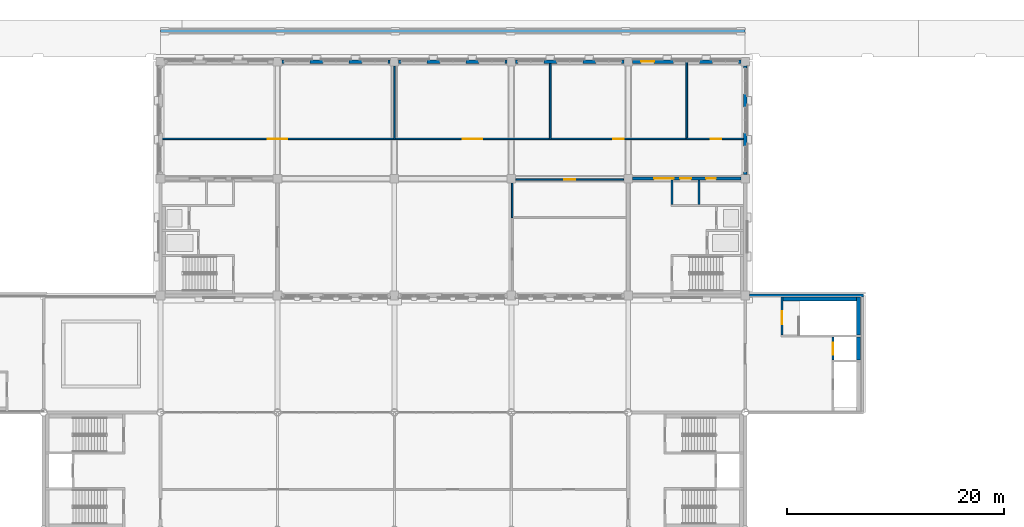
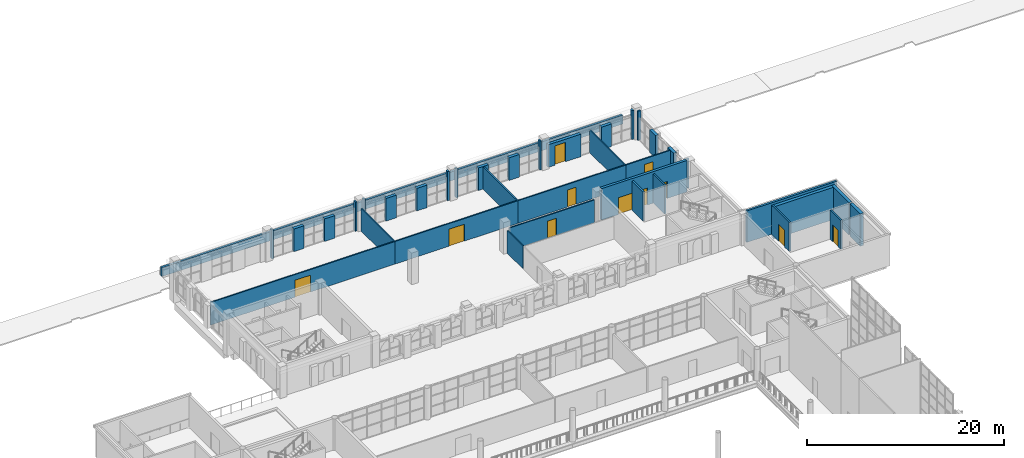
# One storey, part 72 of 95: 38 walls, 11 doors, 11 openings.
"""IFC4 building model written with IfcOpenShell, lengths in metres."""

from ifc_helpers import new_model, si_unit, direction, frame, frame_2d, origin, place, context, subcontext, project, spatial, rectangle, extrude, material, layer, layer_set, type_object, element, fill, save


model = new_model("IFC4")

# Units and contexts
model_context = context("Model", 3, precision=1e-05, world=origin(), true_north=direction((0.0, 1.0)))
body_context = subcontext(model_context, "Body", "Model", "MODEL_VIEW")
ifc_project = project(units=[si_unit("LENGTHUNIT", "METRE"), si_unit("AREAUNIT", "SQUARE_METRE"), si_unit("VOLUMEUNIT", "CUBIC_METRE"), si_unit("PLANEANGLEUNIT", "RADIAN"), si_unit("MASSUNIT", "GRAM", prefix="KILO")], contexts=[model_context])

# Site, building, storey
site_placement = place(None, origin())
site = spatial("IfcSite", under=ifc_project, at=site_placement, CompositionType="ELEMENT")
building_placement = place(site_placement, origin())
building = spatial("IfcBuilding", under=site, at=building_placement, Name="Magnolia Steps Interchange", CompositionType="ELEMENT")
storey_placement = place(building_placement, frame((0.0, 0.0, 4.800048828125)))
storey = spatial("IfcBuildingStorey", under=building, at=storey_placement, Name="L01", CompositionType="ELEMENT", Elevation=4.800048828125)

# Wall, opening, door
ifc_material_1 = material(Name="Concrete C35", Category="concrete")
ifc_layer_1 = layer(ifc_material_1, 0.199951171875)
ifc_layer_set_1 = layer_set([ifc_layer_1], Name="Core enclosure wall 200")
wall_type_1 = type_object("IfcWallType", Name="Core enclosure wall 200", PredefinedType="SOLIDWALL", material=ifc_layer_set_1)
wall_1_placement = place(storey_placement, frame((121.39990234375, 96.27490234375, 0.0), z_axis=(0.0, 0.0, 1.0), x_axis=(0.0, -1.0, 0.0)))
wall_1 = element("IfcWall", 1, at=wall_1_placement, inside=storey, type_object=wall_type_1, Name="L01 WC-E enclosure wall", PredefinedType="SOLIDWALL", context=body_context, shape_type="SweptSolid", body=[
    extrude(rectangle(XDim=3.52490234375, YDim=0.199951171875, at=frame_2d((1.762451171875, 0.0))), origin(), (0.0, 0.0, 1.0), 3.599853515625),
])
opening_1_placement = place(wall_1_placement, frame((1.35009765625, 0.0, 0.0)))
opening_1 = element("IfcOpeningElement", 2, at=opening_1_placement, cuts=wall_1, Name="Opening D-WC-E-L01-1", PredefinedType="OPENING", context=body_context, shape_type="SweptSolid", body=[
    extrude(rectangle(XDim=1.199951171875, YDim=2.10009765625, at=frame_2d((0.60009765625, 1.050048828125))), frame((0.0, 0.10986328125, 0.0), z_axis=(0.0, -1.0, 0.0), x_axis=(1.0, 0.0, 0.0)), (0.0, 0.0, 1.0), 0.219970703125),
])
ifc_material_2 = material(Name="Painted steel", Category="steel")
door_type_1 = type_object("IfcDoorType", Name="Stair fire door 1200x2100", OperationType="NOTDEFINED", PredefinedType="DOOR", material=ifc_material_2)
door_1_placement = place(opening_1_placement, frame((1.199951171875, 0.0, 0.0), z_axis=(0.0, 0.0, 1.0), x_axis=(-1.0, 0.0, 0.0)))
door_1 = element("IfcDoor", 3, at=door_1_placement, inside=storey, type_object=door_type_1, Name="Stair door ST27 L01", OperationType="SINGLE_SWING_LEFT", OverallHeight=2.10009765625, OverallWidth=1.199951171875, PredefinedType="DOOR", context=body_context, shape_type="SweptSolid", body=[
    extrude(rectangle(XDim=1.199951171875, YDim=2.10009765625, at=frame_2d((0.60009765625, 1.050048828125))), frame((0.0, 0.02490234375, 0.0), z_axis=(0.0, -1.0, 0.0), x_axis=(1.0, 0.0, 0.0)), (0.0, 0.0, 1.0), 0.050048828125),
])
fill(opening_1, door_1)

wall_2_placement = place(storey_placement, frame((126.10009765625, 92.550048828125, 0.0), z_axis=(0.0, 0.0, 1.0), x_axis=(0.0, -1.0, 0.0)))
wall_2 = element("IfcWall", 4, at=wall_2_placement, inside=storey, type_object=wall_type_1, Name="L01 WC-E enclosure wall", PredefinedType="SOLIDWALL", context=body_context, shape_type="SweptSolid", body=[
    extrude(rectangle(XDim=2.10009765625, YDim=0.199951171875, at=frame_2d((1.050048828125, 0.0))), origin(), (0.0, 0.0, 1.0), 3.599853515625),
])
opening_2_placement = place(wall_2_placement, frame((0.5, 0.0, 0.0)))
opening_2 = element("IfcOpeningElement", 5, at=opening_2_placement, cuts=wall_2, Name="Opening LD", PredefinedType="OPENING", context=body_context, shape_type="SweptSolid", body=[
    extrude(rectangle(XDim=1.10009765625, YDim=2.10009765625, at=frame_2d((0.550048828125, 1.050048828125))), frame((0.0, 0.10986328125, 0.0), z_axis=(0.0, -1.0, 0.0), x_axis=(1.0, 0.0, 0.0)), (0.0, 0.0, 1.0), 0.219970703125),
])
ifc_material_3 = material(Name="Stainless steel grade 304", Category="steel")
door_type_2 = type_object("IfcDoorType", Name="Lift landing door 1100x2100", OperationType="DOUBLE_DOOR_SLIDING", PredefinedType="DOOR", material=ifc_material_3)
door_2_placement = place(opening_2_placement, frame((1.10009765625, 0.0, 0.0), z_axis=(0.0, 0.0, 1.0), x_axis=(-1.0, 0.0, 0.0)))
door_2 = element("IfcDoor", 6, at=door_2_placement, inside=storey, type_object=door_type_2, Name="Lift landing door LF14 L01", OperationType="DOUBLE_DOOR_SLIDING", OverallHeight=2.10009765625, OverallWidth=1.10009765625, PredefinedType="DOOR", context=body_context, shape_type="SweptSolid", body=[
    extrude(rectangle(XDim=1.10009765625, YDim=2.10009765625, at=frame_2d((0.550048828125, 1.050048828125))), frame((0.0, 0.02490234375, 0.0), z_axis=(0.0, -1.0, 0.0), x_axis=(1.0, 0.0, 0.0)), (0.0, 0.0, 1.0), 0.050048828125),
])
fill(opening_2, door_2)

# Walls
wall_3_placement = place(storey_placement, frame((111.25, 107.050048828125, 0.0), z_axis=(0.0, 0.0, 1.0), x_axis=(0.0, -1.0, 0.0)))
element("IfcWall", 7, at=wall_3_placement, inside=storey, type_object=wall_type_1, Name="L01 OC-E enclosure wall", PredefinedType="SOLIDWALL", context=body_context, shape_type="SweptSolid", body=[
    extrude(rectangle(XDim=2.25, YDim=0.199951171875, at=frame_2d((1.125, 0.0))), origin(), (0.0, 0.0, 1.0), 3.599853515625),
])
ifc_material_4 = material(Name="Concrete C35", Category="concrete")
ifc_layer_2 = layer(ifc_material_4, 0.375)
ifc_layer_set_2 = layer_set([ifc_layer_2], Name="Core lining wall 375")
wall_type_2 = type_object("IfcWallType", Name="Core lining wall 375", PredefinedType="SOLIDWALL", material=ifc_layer_set_2)
wall_4_placement = place(storey_placement, frame((121.300048828125, 96.08740234375, -0.400146484375), z_axis=(0.0, 0.0, 1.0), x_axis=(1.0, 0.0, 0.0)))
element("IfcWall", 8, at=wall_4_placement, inside=storey, type_object=wall_type_2, Name="L01 WC-E stair lining wall", PredefinedType="SOLIDWALL", context=body_context, shape_type="SweptSolid", body=[
    extrude(rectangle(XDim=7.375, YDim=0.375, at=frame_2d((3.6875, 0.0))), origin(), (0.0, 0.0, 1.0), 4.0),
])
wall_5_placement = place(storey_placement, frame((128.487548828125, 96.27490234375, -0.400146484375), z_axis=(0.0, 0.0, 1.0), x_axis=(0.0, -1.0, 0.0)))
element("IfcWall", 9, at=wall_5_placement, inside=storey, type_object=wall_type_2, Name="L01 WC-E stair lining wall", PredefinedType="SOLIDWALL", context=body_context, shape_type="SweptSolid", body=[
    extrude(rectangle(XDim=3.52490234375, YDim=0.375, at=frame_2d((1.762451171875, 0.0))), origin(), (0.0, 0.0, 1.0), 4.0),
])
wall_6_placement = place(storey_placement, frame((128.487548828125, 92.550048828125, -0.400146484375), z_axis=(0.0, 0.0, 1.0), x_axis=(0.0, -1.0, 0.0)))
element("IfcWall", 10, at=wall_6_placement, inside=storey, type_object=wall_type_2, Name="L01 WC-E stair lining wall", PredefinedType="SOLIDWALL", context=body_context, shape_type="SweptSolid", body=[
    extrude(rectangle(XDim=2.10009765625, YDim=0.375, at=frame_2d((1.050048828125, 0.0))), origin(), (0.0, 0.0, 1.0), 4.0),
])
ifc_material_5 = material(Name="Fair-faced blockwork", Category="masonry")
ifc_layer_3 = layer(ifc_material_5, 0.199951171875)
ifc_layer_set_3 = layer_set([ifc_layer_3], Name="Core partition 200")
wall_type_3 = type_object("IfcWallType", Name="Core partition 200", PredefinedType="PARTITIONING", material=ifc_layer_set_3)
wall_7_placement = place(storey_placement, frame((113.75, 107.050048828125, 0.0), z_axis=(0.0, 0.0, 1.0), x_axis=(0.0, -1.0, 0.0)))
element("IfcWall", 11, at=wall_7_placement, inside=storey, type_object=wall_type_3, Name="L01 OC-E toilet partition", PredefinedType="PARTITIONING", context=body_context, shape_type="SweptSolid", body=[
    extrude(rectangle(XDim=2.25, YDim=0.199951171875, at=frame_2d((1.125, 0.0))), origin(), (0.0, 0.0, 1.0), 3.599853515625),
])
ifc_material_6 = material(Name="Concrete C40", Category="concrete")
ifc_layer_4 = layer(ifc_material_6, 0.25)
ifc_layer_set_4 = layer_set([ifc_layer_4], Name="Core wall 250")
wall_type_4 = type_object("IfcWallType", Name="Core wall 250", PredefinedType="SOLIDWALL", material=ifc_layer_set_4)
wall_8_placement = place(storey_placement, frame((128.925048828125, 96.39990234375, 0.0), z_axis=(0.0, 0.0, 1.0), x_axis=(-1.0, 0.0, 0.0)))
element("IfcWall", 12, at=wall_8_placement, inside=storey, type_object=wall_type_4, Name="Core wall WC-E", PredefinedType="SOLIDWALL", context=body_context, shape_type="SweptSolid", body=[
    extrude(rectangle(XDim=10.525146484375, YDim=0.25, at=frame_2d((5.2626953125, 0.0))), origin(), (0.0, 0.0, 1.0), 3.89990234375),
])

# Wall, openings, doors
ifc_material_7 = material(Name="Concrete C40", Category="concrete")
ifc_layer_5 = layer(ifc_material_7, 0.300048828125)
ifc_layer_set_5 = layer_set([ifc_layer_5], Name="Core wall 300")
wall_type_5 = type_object("IfcWallType", Name="Core wall 300", PredefinedType="SOLIDWALL", material=ifc_layer_set_5)
wall_9_placement = place(storey_placement, frame((117.60009765625, 107.199951171875, 0.0), z_axis=(0.0, 0.0, 1.0), x_axis=(-1.0, 0.0, 0.0)))
wall_9 = element("IfcWall", 13, at=wall_9_placement, inside=storey, type_object=wall_type_5, Name="Core wall OC-E", PredefinedType="SOLIDWALL", context=body_context, shape_type="SweptSolid", body=[
    extrude(rectangle(XDim=10.0, YDim=0.300048828125, at=frame_2d((5.0, 0.0))), origin(), (0.0, 0.0, 1.0), 3.89990234375),
])
opening_3_placement = place(wall_9_placement, frame((6.199951171875, 0.0, 0.0)))
opening_3 = element("IfcOpeningElement", 14, at=opening_3_placement, cuts=wall_9, Name="Opening D-OC-E-L01-2", PredefinedType="OPENING", context=body_context, shape_type="SweptSolid", body=[
    extrude(rectangle(XDim=1.800048828125, YDim=2.10009765625, at=frame_2d((0.89990234375, 1.050048828125))), frame((0.0, 0.159912109375, 0.0), z_axis=(0.0, -1.0, 0.0), x_axis=(1.0, 0.0, 0.0)), (0.0, 0.0, 1.0), 0.320068359375),
])
opening_4_placement = place(wall_9_placement, frame((4.60009765625, 0.0, 0.0)))
opening_4 = element("IfcOpeningElement", 15, at=opening_4_placement, cuts=wall_9, Name="Opening D-OC-E-L01-3", PredefinedType="OPENING", context=body_context, shape_type="SweptSolid", body=[
    extrude(rectangle(XDim=1.0, YDim=2.10009765625, at=frame_2d((0.5, 1.050048828125))), frame((0.0, 0.159912109375, 0.0), z_axis=(0.0, -1.0, 0.0), x_axis=(1.0, 0.0, 0.0)), (0.0, 0.0, 1.0), 0.320068359375),
])
opening_5_placement = place(wall_9_placement, frame((2.300048828125, 0.0, 0.0)))
opening_5 = element("IfcOpeningElement", 16, at=opening_5_placement, cuts=wall_9, Name="Opening D-OC-E-L01-4", PredefinedType="OPENING", context=body_context, shape_type="SweptSolid", body=[
    extrude(rectangle(XDim=0.89990234375, YDim=2.10009765625, at=frame_2d((0.449951171875, 1.050048828125))), frame((0.0, 0.159912109375, 0.0), z_axis=(0.0, -1.0, 0.0), x_axis=(1.0, 0.0, 0.0)), (0.0, 0.0, 1.0), 0.320068359375),
])
ifc_material_8 = material(Name="Timber", Category="wood")
door_type_3 = type_object("IfcDoorType", Name="Accessible toilet door 1000x2100", OperationType="NOTDEFINED", PredefinedType="DOOR", material=ifc_material_8)
door_3_placement = place(opening_4_placement, origin())
door_3 = element("IfcDoor", 17, at=door_3_placement, inside=storey, type_object=door_type_3, Name="Accessible Toilet door OC-E L01", OperationType="SINGLE_SWING_RIGHT", OverallHeight=2.10009765625, OverallWidth=1.0, PredefinedType="DOOR", context=body_context, shape_type="SweptSolid", body=[
    extrude(rectangle(XDim=1.0, YDim=2.10009765625, at=frame_2d((0.5, 1.050048828125))), frame((0.0, 0.02490234375, 0.0), z_axis=(0.0, -1.0, 0.0), x_axis=(1.0, 0.0, 0.0)), (0.0, 0.0, 1.0), 0.050048828125),
])
fill(opening_4, door_3)
ifc_material_9 = material(Name="Timber and glass", Category="wood")
door_type_4 = type_object("IfcDoorType", Name="Core entrance door pair 1800x2100", OperationType="DOUBLE_DOOR_DOUBLE_SWING", PredefinedType="DOOR", material=ifc_material_9)
door_4_placement = place(opening_3_placement, frame((1.800048828125, 0.0, 0.0), z_axis=(0.0, 0.0, 1.0), x_axis=(-1.0, 0.0, 0.0)))
door_4 = element("IfcDoor", 18, at=door_4_placement, inside=storey, type_object=door_type_4, Name="Core entrance door OC-E L01", OperationType="DOUBLE_DOOR_DOUBLE_SWING", OverallHeight=2.10009765625, OverallWidth=1.800048828125, PredefinedType="DOOR", context=body_context, shape_type="SweptSolid", body=[
    extrude(rectangle(XDim=1.800048828125, YDim=2.10009765625, at=frame_2d((0.89990234375, 1.050048828125))), frame((0.0, 0.02490234375, 0.0), z_axis=(0.0, -1.0, 0.0), x_axis=(1.0, 0.0, 0.0)), (0.0, 0.0, 1.0), 0.050048828125),
])
fill(opening_3, door_4)
ifc_material_10 = material(Name="Timber", Category="wood")
door_type_5 = type_object("IfcDoorType", Name="Toilet door 900x2100", OperationType="NOTDEFINED", PredefinedType="DOOR", material=ifc_material_10)
door_5_placement = place(opening_5_placement, origin())
door_5 = element("IfcDoor", 19, at=door_5_placement, inside=storey, type_object=door_type_5, Name="Public Toilets door OC-E L01", OperationType="SINGLE_SWING_LEFT", OverallHeight=2.10009765625, OverallWidth=0.89990234375, PredefinedType="DOOR", context=body_context, shape_type="SweptSolid", body=[
    extrude(rectangle(XDim=0.89990234375, YDim=2.10009765625, at=frame_2d((0.449951171875, 1.050048828125))), frame((0.0, 0.02490234375, 0.0), z_axis=(0.0, -1.0, 0.0), x_axis=(1.0, 0.0, 0.0)), (0.0, 0.0, 1.0), 0.050048828125),
])
fill(opening_5, door_5)

# Walls
ifc_material_11 = material(Name="Lime render on masonry", Category="masonry")
ifc_layer_6 = layer(ifc_material_11, 0.35009765625)
ifc_layer_set_6 = layer_set([ifc_layer_6], Name="Lime render wall 350")
wall_type_6 = type_object("IfcWallType", Name="Lime render wall 350", PredefinedType="SOLIDWALL", material=ifc_layer_set_6)
wall_10_placement = place(storey_placement, frame((75.199951171875, 118.0, 0.0), z_axis=(0.0, 0.0, 1.0), x_axis=(1.0, 0.0, 0.0)))
element("IfcWall", 20, at=wall_10_placement, inside=storey, type_object=wall_type_6, Name="Operations lobby north pier 5", PredefinedType="SOLIDWALL", context=body_context, shape_type="SweptSolid", body=[
    extrude(rectangle(XDim=0.199951171875, YDim=0.35009765625, at=frame_2d((0.10009765625, 0.0))), origin(), (0.0, 0.0, 1.0), 3.599853515625),
])
wall_11_placement = place(storey_placement, frame((77.800048828125, 118.0, 0.0), z_axis=(0.0, 0.0, 1.0), x_axis=(1.0, 0.0, 0.0)))
element("IfcWall", 21, at=wall_11_placement, inside=storey, type_object=wall_type_6, Name="Operations lobby north pier 7", PredefinedType="SOLIDWALL", context=body_context, shape_type="SweptSolid", body=[
    extrude(rectangle(XDim=1.199951171875, YDim=0.35009765625, at=frame_2d((0.60009765625, 0.0))), origin(), (0.0, 0.0, 1.0), 2.800048828125),
])
wall_12_placement = place(storey_placement, frame((81.39990234375, 118.0, 0.0), z_axis=(0.0, 0.0, 1.0), x_axis=(1.0, 0.0, 0.0)))
element("IfcWall", 22, at=wall_12_placement, inside=storey, type_object=wall_type_6, Name="Operations lobby north pier 9", PredefinedType="SOLIDWALL", context=body_context, shape_type="SweptSolid", body=[
    extrude(rectangle(XDim=1.2001953125, YDim=0.35009765625, at=frame_2d((0.60009765625, 0.0))), origin(), (0.0, 0.0, 1.0), 2.800048828125),
])
for number, where, z_axis, x_axis, name in (
    (23, (85.0, 118.0, 0.0), (0.0, 0.0, 1.0), (1.0, 0.0, 0.0), "Operations lobby north pier 11"),
    (24, (86.0, 118.0, 0.0), (0.0, 0.0, 1.0), (1.0, 0.0, 0.0), "Operations lobby north pier 11"),
):
    element("IfcWall", number, at=place(storey_placement, frame(where, z_axis=z_axis, x_axis=x_axis)), inside=storey, type_object=wall_type_6, Name=name, PredefinedType="SOLIDWALL", context=body_context, shape_type="SweptSolid", body=[
        extrude(rectangle(XDim=0.199951171875, YDim=0.35009765625, at=frame_2d((0.10009765625, 0.0))), origin(), (0.0, 0.0, 1.0), 3.599853515625),
    ])
for number, where, z_axis, x_axis, name in (
    (25, (88.60009765625, 118.0, 0.0), (0.0, 0.0, 1.0), (1.0, 0.0, 0.0), "Operations lobby north pier 13"),
    (26, (92.199951171875, 118.0, 0.0), (0.0, 0.0, 1.0), (1.0, 0.0, 0.0), "Operations lobby north pier 15"),
):
    element("IfcWall", number, at=place(storey_placement, frame(where, z_axis=z_axis, x_axis=x_axis)), inside=storey, type_object=wall_type_6, Name=name, PredefinedType="SOLIDWALL", context=body_context, shape_type="SweptSolid", body=[
        extrude(rectangle(XDim=1.199951171875, YDim=0.35009765625, at=frame_2d((0.60009765625, 0.0))), origin(), (0.0, 0.0, 1.0), 2.800048828125),
    ])
for number, where, z_axis, x_axis, name in (
    (27, (95.800048828125, 118.0, 0.0), (0.0, 0.0, 1.0), (1.0, 0.0, 0.0), "Operations lobby north pier 17"),
    (28, (96.800048828125, 118.0, 0.0), (0.0, 0.0, 1.0), (1.0, 0.0, 0.0), "Operations lobby north pier 17"),
):
    element("IfcWall", number, at=place(storey_placement, frame(where, z_axis=z_axis, x_axis=x_axis)), inside=storey, type_object=wall_type_6, Name=name, PredefinedType="SOLIDWALL", context=body_context, shape_type="SweptSolid", body=[
        extrude(rectangle(XDim=0.199951171875, YDim=0.35009765625, at=frame_2d((0.10009765625, 0.0))), origin(), (0.0, 0.0, 1.0), 3.599853515625),
    ])
wall_13_placement = place(storey_placement, frame((99.39990234375, 118.0, 0.0), z_axis=(0.0, 0.0, 1.0), x_axis=(1.0, 0.0, 0.0)))
element("IfcWall", 29, at=wall_13_placement, inside=storey, type_object=wall_type_6, Name="Operations lobby north pier 19", PredefinedType="SOLIDWALL", context=body_context, shape_type="SweptSolid", body=[
    extrude(rectangle(XDim=1.2001953125, YDim=0.35009765625, at=frame_2d((0.60009765625, 0.0))), origin(), (0.0, 0.0, 1.0), 2.800048828125),
])
wall_14_placement = place(storey_placement, frame((103.0, 118.0, 0.0), z_axis=(0.0, 0.0, 1.0), x_axis=(1.0, 0.0, 0.0)))
element("IfcWall", 30, at=wall_14_placement, inside=storey, type_object=wall_type_6, Name="Operations lobby north pier 21", PredefinedType="SOLIDWALL", context=body_context, shape_type="SweptSolid", body=[
    extrude(rectangle(XDim=1.199951171875, YDim=0.35009765625, at=frame_2d((0.60009765625, 0.0))), origin(), (0.0, 0.0, 1.0), 2.800048828125),
])
wall_15_placement = place(storey_placement, frame((106.60009765625, 118.0, 0.0), z_axis=(0.0, 0.0, 1.0), x_axis=(1.0, 0.0, 0.0)))
element("IfcWall", 31, at=wall_15_placement, inside=storey, type_object=wall_type_6, Name="Operations lobby north pier 23", PredefinedType="SOLIDWALL", context=body_context, shape_type="SweptSolid", body=[
    extrude(rectangle(XDim=0.199951171875, YDim=0.35009765625, at=frame_2d((0.10009765625, 0.0))), origin(), (0.0, 0.0, 1.0), 3.599853515625),
])

# Wall, opening, door
wall_16_placement = place(storey_placement, frame((107.60009765625, 118.0, 0.0), z_axis=(0.0, 0.0, 1.0), x_axis=(1.0, 0.0, 0.0)))
wall_16 = element("IfcWall", 32, at=wall_16_placement, inside=storey, type_object=wall_type_6, Name="Operations lobby north pier 23", PredefinedType="SOLIDWALL", context=body_context, shape_type="SweptSolid", body=[
    extrude(rectangle(XDim=3.7998046875, YDim=0.35009765625, at=frame_2d((1.89990234375, 0.0))), origin(), (0.0, 0.0, 1.0), 2.800048828125),
])
opening_6_placement = place(wall_16_placement, frame((0.800048828125, 0.0, 0.0)))
opening_6 = element("IfcOpeningElement", 33, at=opening_6_placement, cuts=wall_16, Name="Opening E03", PredefinedType="OPENING", context=body_context, shape_type="SweptSolid", body=[
    extrude(rectangle(XDim=1.199951171875, YDim=2.39990234375, at=frame_2d((0.60009765625, 1.199951171875))), frame((0.0, 0.18505859375, 0.0), z_axis=(0.0, -1.0, 0.0), x_axis=(1.0, 0.0, 0.0)), (0.0, 0.0, 1.0), 0.3701171875),
])
ifc_material_12 = material(Name="Timber", Category="wood")
door_type_6 = type_object("IfcDoorType", Name="Timber service door 1200 x 2400", OperationType="NOTDEFINED", PredefinedType="DOOR", material=ifc_material_12)
door_6_placement = place(opening_6_placement, origin())
door_6 = element("IfcDoor", 34, at=door_6_placement, inside=storey, type_object=door_type_6, Name="Service door", OperationType="SINGLE_SWING_LEFT", OverallHeight=2.39990234375, OverallWidth=1.199951171875, PredefinedType="DOOR", context=body_context, shape_type="SweptSolid", body=[
    extrude(rectangle(XDim=1.199951171875, YDim=2.39990234375, at=frame_2d((0.60009765625, 1.199951171875))), frame((0.0, 0.02490234375, 0.0), z_axis=(0.0, -1.0, 0.0), x_axis=(1.0, 0.0, 0.0)), (0.0, 0.0, 1.0), 0.050048828125),
])
fill(opening_6, door_6)

# Walls
wall_17_placement = place(storey_placement, frame((113.800048828125, 118.0, 0.0), z_axis=(0.0, 0.0, 1.0), x_axis=(1.0, 0.0, 0.0)))
element("IfcWall", 35, at=wall_17_placement, inside=storey, type_object=wall_type_6, Name="Operations lobby north pier 25", PredefinedType="SOLIDWALL", context=body_context, shape_type="SweptSolid", body=[
    extrude(rectangle(XDim=1.199951171875, YDim=0.35009765625, at=frame_2d((0.60009765625, 0.0))), origin(), (0.0, 0.0, 1.0), 2.800048828125),
])
wall_18_placement = place(storey_placement, frame((117.39990234375, 118.0, 0.0), z_axis=(0.0, 0.0, 1.0), x_axis=(1.0, 0.0, 0.0)))
element("IfcWall", 36, at=wall_18_placement, inside=storey, type_object=wall_type_6, Name="Operations lobby north pier 27", PredefinedType="SOLIDWALL", context=body_context, shape_type="SweptSolid", body=[
    extrude(rectangle(XDim=0.2001953125, YDim=0.35009765625, at=frame_2d((0.10009765625, 0.0))), origin(), (0.0, 0.0, 1.0), 3.599853515625),
])
wall_19_placement = place(storey_placement, frame((118.0, 107.60009765625, 0.0), z_axis=(0.0, 0.0, 1.0), x_axis=(0.0, 1.0, 0.0)))
element("IfcWall", 37, at=wall_19_placement, inside=storey, type_object=wall_type_6, Name="Operations lobby east pier 1", PredefinedType="SOLIDWALL", context=body_context, shape_type="SweptSolid", body=[
    extrude(rectangle(XDim=0.199951171875, YDim=0.35009765625, at=frame_2d((0.10009765625, 0.0))), origin(), (0.0, 0.0, 1.0), 3.599853515625),
])
for number, where, z_axis, x_axis, name in (
    (38, (118.0, 110.199951171875, 0.0), (0.0, 0.0, 1.0), (0.0, 1.0, 0.0), "Operations lobby east pier 3"),
    (39, (118.0, 113.800048828125, 0.0), (0.0, 0.0, 1.0), (0.0, 1.0, 0.0), "Operations lobby east pier 5"),
):
    element("IfcWall", number, at=place(storey_placement, frame(where, z_axis=z_axis, x_axis=x_axis)), inside=storey, type_object=wall_type_6, Name=name, PredefinedType="SOLIDWALL", context=body_context, shape_type="SweptSolid", body=[
        extrude(rectangle(XDim=1.199951171875, YDim=0.35009765625, at=frame_2d((0.60009765625, 0.0))), origin(), (0.0, 0.0, 1.0), 2.800048828125),
    ])
wall_20_placement = place(storey_placement, frame((118.0, 117.39990234375, 0.0), z_axis=(0.0, 0.0, 1.0), x_axis=(0.0, 1.0, 0.0)))
element("IfcWall", 40, at=wall_20_placement, inside=storey, type_object=wall_type_6, Name="Operations lobby east pier 7", PredefinedType="SOLIDWALL", context=body_context, shape_type="SweptSolid", body=[
    extrude(rectangle(XDim=0.2001953125, YDim=0.35009765625, at=frame_2d((0.10009765625, 0.0))), origin(), (0.0, 0.0, 1.0), 3.599853515625),
])
ifc_material_13 = material(Name="Lime render on masonry", Category="masonry")
ifc_layer_7 = layer(ifc_material_13, 0.25)
ifc_layer_set_7 = layer_set([ifc_layer_7], Name="Parapet wall 250")
wall_type_7 = type_object("IfcWallType", Name="Parapet wall 250", PredefinedType="PARAPET", material=ifc_layer_set_7)
wall_21_placement = place(storey_placement, frame((64.0, 120.824951171875, 0.0), z_axis=(0.0, 0.0, 1.0), x_axis=(1.0, 0.0, 0.0)))
element("IfcWall", 41, at=wall_21_placement, inside=storey, type_object=wall_type_7, Name="North street boundary wall", PredefinedType="PARAPET", context=body_context, shape_type="SweptSolid", body=[
    extrude(rectangle(XDim=54.0, YDim=0.25, at=frame_2d((27.0, 0.0))), origin(), (0.0, 0.0, 1.0), 1.099853515625),
])
ifc_material_14 = material(Name="Fair-faced blockwork", Category="masonry")
ifc_layer_8 = layer(ifc_material_14, 0.14990234375)
ifc_layer_set_8 = layer_set([ifc_layer_8], Name="Partition wall 150")
wall_type_8 = type_object("IfcWallType", Name="Partition wall 150", PredefinedType="PARTITIONING", material=ifc_layer_set_8)
wall_22_placement = place(storey_placement, frame((96.47509765625, 103.60009765625, 0.0), z_axis=(0.0, 0.0, 1.0), x_axis=(0.0, 1.0, 0.0)))
element("IfcWall", 42, at=wall_22_placement, inside=storey, type_object=wall_type_8, Name="L01 partition 15", PredefinedType="PARTITIONING", context=body_context, shape_type="SweptSolid", body=[
    extrude(rectangle(XDim=3.179931640625, YDim=0.14990234375, at=frame_2d((1.58984375, 0.0))), origin(), (0.0, 0.0, 1.0), 2.800048828125),
])

# Wall, opening, door
wall_23_placement = place(storey_placement, frame((96.820068359375, 107.125, 0.0), z_axis=(0.0, 0.0, 1.0), x_axis=(1.0, 0.0, 0.0)))
wall_23 = element("IfcWall", 43, at=wall_23_placement, inside=storey, type_object=wall_type_8, Name="L01 partition 17", PredefinedType="PARTITIONING", context=body_context, shape_type="SweptSolid", body=[
    extrude(rectangle(XDim=9.9599609375, YDim=0.14990234375, at=frame_2d((4.97998046875, 0.0))), origin(), (0.0, 0.0, 1.0), 2.800048828125),
])
opening_7_placement = place(wall_23_placement, frame((4.47998046875, 0.0, 0.0)))
opening_7 = element("IfcOpeningElement", 44, at=opening_7_placement, cuts=wall_23, Name="Opening D-L01-10", PredefinedType="OPENING", context=body_context, shape_type="SweptSolid", body=[
    extrude(rectangle(XDim=1.0, YDim=2.10009765625, at=frame_2d((0.5, 1.050048828125))), frame((0.0, 0.0849609375, 0.0), z_axis=(0.0, -1.0, 0.0), x_axis=(1.0, 0.0, 0.0)), (0.0, 0.0, 1.0), 0.169921875),
])
ifc_material_15 = material(Name="Timber", Category="wood")
door_type_7 = type_object("IfcDoorType", Name="Room door 1000x2100", OperationType="NOTDEFINED", PredefinedType="DOOR", material=ifc_material_15)
door_7_placement = place(opening_7_placement, frame((1.0, 0.0, 0.0), z_axis=(0.0, 0.0, 1.0), x_axis=(-1.0, 0.0, 0.0)))
door_7 = element("IfcDoor", 45, at=door_7_placement, inside=storey, type_object=door_type_7, Name="Security Desk door", OperationType="SINGLE_SWING_LEFT", OverallHeight=2.10009765625, OverallWidth=1.0, PredefinedType="DOOR", context=body_context, shape_type="SweptSolid", body=[
    extrude(rectangle(XDim=1.0, YDim=2.10009765625, at=frame_2d((0.5, 1.050048828125))), frame((0.0, 0.02490234375, 0.0), z_axis=(0.0, -1.0, 0.0), x_axis=(1.0, 0.0, 0.0)), (0.0, 0.0, 1.0), 0.050048828125),
])
fill(opening_7, door_7)

wall_24_placement = place(storey_placement, frame((64.0, 110.875, 0.0), z_axis=(0.0, 0.0, 1.0), x_axis=(1.0, 0.0, 0.0)))
wall_24 = element("IfcWall", 46, at=wall_24_placement, inside=storey, type_object=wall_type_8, Name="L01 partition 18", PredefinedType="PARTITIONING", context=body_context, shape_type="SweptSolid", body=[
    extrude(rectangle(XDim=21.60009765625, YDim=0.14990234375, at=frame_2d((10.800048828125, 0.0))), origin(), (0.0, 0.0, 1.0), 2.800048828125),
])
opening_8_placement = place(wall_24_placement, frame((9.89990234375, 0.0, 0.0)))
opening_8 = element("IfcOpeningElement", 47, at=opening_8_placement, cuts=wall_24, Name="Opening D-L01-11", PredefinedType="OPENING", context=body_context, shape_type="SweptSolid", body=[
    extrude(rectangle(XDim=1.800048828125, YDim=2.10009765625, at=frame_2d((0.89990234375, 1.050048828125))), frame((0.0, 0.0849609375, 0.0), z_axis=(0.0, -1.0, 0.0), x_axis=(1.0, 0.0, 0.0)), (0.0, 0.0, 1.0), 0.169921875),
])
ifc_material_16 = material(Name="Timber", Category="wood")
door_type_8 = type_object("IfcDoorType", Name="Room door pair 1800x2100", OperationType="DOUBLE_DOOR_DOUBLE_SWING", PredefinedType="DOOR", material=ifc_material_16)
door_8_placement = place(opening_8_placement, frame((1.800048828125, 0.0, 0.0), z_axis=(0.0, 0.0, 1.0), x_axis=(-1.0, 0.0, 0.0)))
door_8 = element("IfcDoor", 48, at=door_8_placement, inside=storey, type_object=door_type_8, Name="Staff Canteen door", OperationType="DOUBLE_DOOR_DOUBLE_SWING", OverallHeight=2.10009765625, OverallWidth=1.800048828125, PredefinedType="DOOR", context=body_context, shape_type="SweptSolid", body=[
    extrude(rectangle(XDim=1.800048828125, YDim=2.10009765625, at=frame_2d((0.89990234375, 1.050048828125))), frame((0.0, 0.02490234375, 0.0), z_axis=(0.0, -1.0, 0.0), x_axis=(1.0, 0.0, 0.0)), (0.0, 0.0, 1.0), 0.050048828125),
])
fill(opening_8, door_8)

wall_25_placement = place(storey_placement, frame((85.60009765625, 110.875, 0.0), z_axis=(0.0, 0.0, 1.0), x_axis=(1.0, 0.0, 0.0)))
wall_25 = element("IfcWall", 49, at=wall_25_placement, inside=storey, type_object=wall_type_8, Name="L01 partition 19", PredefinedType="PARTITIONING", context=body_context, shape_type="SweptSolid", body=[
    extrude(rectangle(XDim=14.39990234375, YDim=0.14990234375, at=frame_2d((7.199951171875, 0.0))), origin(), (0.0, 0.0, 1.0), 2.800048828125),
])
opening_9_placement = place(wall_25_placement, frame((6.300048828125, 0.0, 0.0)))
opening_9 = element("IfcOpeningElement", 50, at=opening_9_placement, cuts=wall_25, Name="Opening D-L01-12", PredefinedType="OPENING", context=body_context, shape_type="SweptSolid", body=[
    extrude(rectangle(XDim=1.800048828125, YDim=2.10009765625, at=frame_2d((0.89990234375, 1.050048828125))), frame((0.0, 0.0849609375, 0.0), z_axis=(0.0, -1.0, 0.0), x_axis=(1.0, 0.0, 0.0)), (0.0, 0.0, 1.0), 0.169921875),
])
door_9_placement = place(opening_9_placement, frame((1.800048828125, 0.0, 0.0), z_axis=(0.0, 0.0, 1.0), x_axis=(-1.0, 0.0, 0.0)))
door_9 = element("IfcDoor", 51, at=door_9_placement, inside=storey, type_object=door_type_8, Name="Training Room 1 door", OperationType="DOUBLE_DOOR_DOUBLE_SWING", OverallHeight=2.10009765625, OverallWidth=1.800048828125, PredefinedType="DOOR", context=body_context, shape_type="SweptSolid", body=[
    extrude(rectangle(XDim=1.800048828125, YDim=2.10009765625, at=frame_2d((0.89990234375, 1.050048828125))), frame((0.0, 0.02490234375, 0.0), z_axis=(0.0, -1.0, 0.0), x_axis=(1.0, 0.0, 0.0)), (0.0, 0.0, 1.0), 0.050048828125),
])
fill(opening_9, door_9)

wall_26_placement = place(storey_placement, frame((100.0, 110.875, 0.0), z_axis=(0.0, 0.0, 1.0), x_axis=(1.0, 0.0, 0.0)))
wall_26 = element("IfcWall", 52, at=wall_26_placement, inside=storey, type_object=wall_type_8, Name="L01 partition 20", PredefinedType="PARTITIONING", context=body_context, shape_type="SweptSolid", body=[
    extrude(rectangle(XDim=12.60009765625, YDim=0.14990234375, at=frame_2d((6.300048828125, 0.0))), origin(), (0.0, 0.0, 1.0), 2.800048828125),
])
opening_10_placement = place(wall_26_placement, frame((5.800048828125, 0.0, 0.0)))
opening_10 = element("IfcOpeningElement", 53, at=opening_10_placement, cuts=wall_26, Name="Opening D-L01-13", PredefinedType="OPENING", context=body_context, shape_type="SweptSolid", body=[
    extrude(rectangle(XDim=1.0, YDim=2.10009765625, at=frame_2d((0.5, 1.050048828125))), frame((0.0, 0.0849609375, 0.0), z_axis=(0.0, -1.0, 0.0), x_axis=(1.0, 0.0, 0.0)), (0.0, 0.0, 1.0), 0.169921875),
])
door_10_placement = place(opening_10_placement, frame((1.0, 0.0, 0.0), z_axis=(0.0, 0.0, 1.0), x_axis=(-1.0, 0.0, 0.0)))
door_10 = element("IfcDoor", 54, at=door_10_placement, inside=storey, type_object=door_type_7, Name="Training Room 2 door", OperationType="SINGLE_SWING_RIGHT", OverallHeight=2.10009765625, OverallWidth=1.0, PredefinedType="DOOR", context=body_context, shape_type="SweptSolid", body=[
    extrude(rectangle(XDim=1.0, YDim=2.10009765625, at=frame_2d((0.5, 1.050048828125))), frame((0.0, 0.02490234375, 0.0), z_axis=(0.0, -1.0, 0.0), x_axis=(1.0, 0.0, 0.0)), (0.0, 0.0, 1.0), 0.050048828125),
])
fill(opening_10, door_10)

wall_27_placement = place(storey_placement, frame((112.60009765625, 110.875, 0.0), z_axis=(0.0, 0.0, 1.0), x_axis=(1.0, 0.0, 0.0)))
wall_27 = element("IfcWall", 55, at=wall_27_placement, inside=storey, type_object=wall_type_8, Name="L01 partition 21", PredefinedType="PARTITIONING", context=body_context, shape_type="SweptSolid", body=[
    extrude(rectangle(XDim=5.39990234375, YDim=0.14990234375, at=frame_2d((2.699951171875, 0.0))), origin(), (0.0, 0.0, 1.0), 2.800048828125),
])
opening_11_placement = place(wall_27_placement, frame((2.199951171875, 0.0, 0.0)))
opening_11 = element("IfcOpeningElement", 56, at=opening_11_placement, cuts=wall_27, Name="Opening D-L01-14", PredefinedType="OPENING", context=body_context, shape_type="SweptSolid", body=[
    extrude(rectangle(XDim=1.0, YDim=2.10009765625, at=frame_2d((0.5, 1.050048828125))), frame((0.0, 0.0849609375, 0.0), z_axis=(0.0, -1.0, 0.0), x_axis=(1.0, 0.0, 0.0)), (0.0, 0.0, 1.0), 0.169921875),
])
door_11_placement = place(opening_11_placement, origin())
door_11 = element("IfcDoor", 57, at=door_11_placement, inside=storey, type_object=door_type_7, Name="Visitor Meeting Room door", OperationType="SINGLE_SWING_LEFT", OverallHeight=2.10009765625, OverallWidth=1.0, PredefinedType="DOOR", context=body_context, shape_type="SweptSolid", body=[
    extrude(rectangle(XDim=1.0, YDim=2.10009765625, at=frame_2d((0.5, 1.050048828125))), frame((0.0, 0.02490234375, 0.0), z_axis=(0.0, -1.0, 0.0), x_axis=(1.0, 0.0, 0.0)), (0.0, 0.0, 1.0), 0.050048828125),
])
fill(opening_11, door_11)

# Walls
wall_28_placement = place(storey_placement, frame((85.60009765625, 110.800048828125, 0.0), z_axis=(0.0, 0.0, 1.0), x_axis=(0.0, 1.0, 0.0)))
element("IfcWall", 58, at=wall_28_placement, inside=storey, type_object=wall_type_8, Name="L01 partition 22", PredefinedType="PARTITIONING", context=body_context, shape_type="SweptSolid", body=[
    extrude(rectangle(XDim=6.780029296875, YDim=0.14990234375, at=frame_2d((3.39013671875, 0.0))), origin(), (0.0, 0.0, 1.0), 2.800048828125),
])
for number, where, z_axis, x_axis, name in (
    (59, (100.0, 110.800048828125, 0.0), (0.0, 0.0, 1.0), (0.0, 1.0, 0.0), "L01 partition 23"),
    (60, (112.60009765625, 110.800048828125, 0.0), (0.0, 0.0, 1.0), (0.0, 1.0, 0.0), "L01 partition 24"),
):
    element("IfcWall", number, at=place(storey_placement, frame(where, z_axis=z_axis, x_axis=x_axis)), inside=storey, type_object=wall_type_8, Name=name, PredefinedType="PARTITIONING", context=body_context, shape_type="SweptSolid", body=[
        extrude(rectangle(XDim=7.199951171875, YDim=0.14990234375, at=frame_2d((3.60009765625, 0.0))), origin(), (0.0, 0.0, 1.0), 2.800048828125),
    ])

save(model, "model.ifc")
